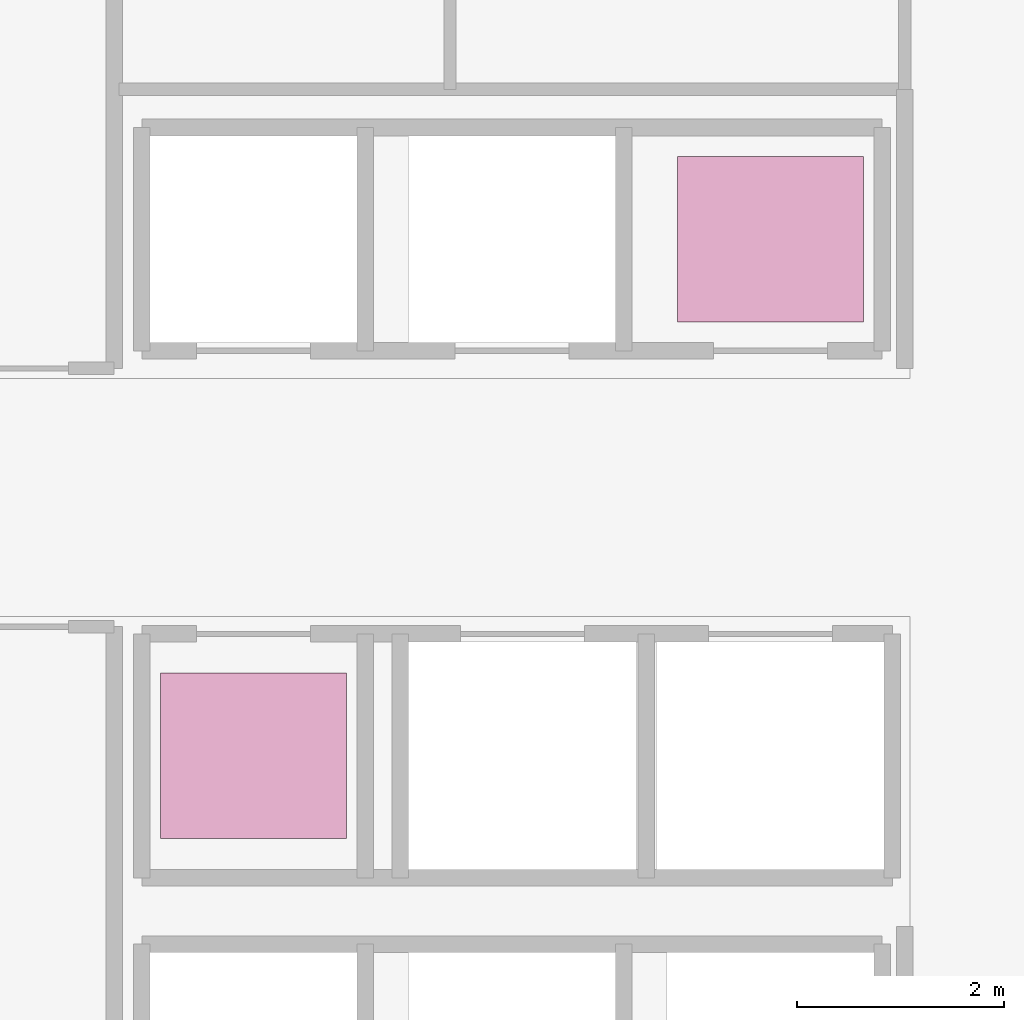
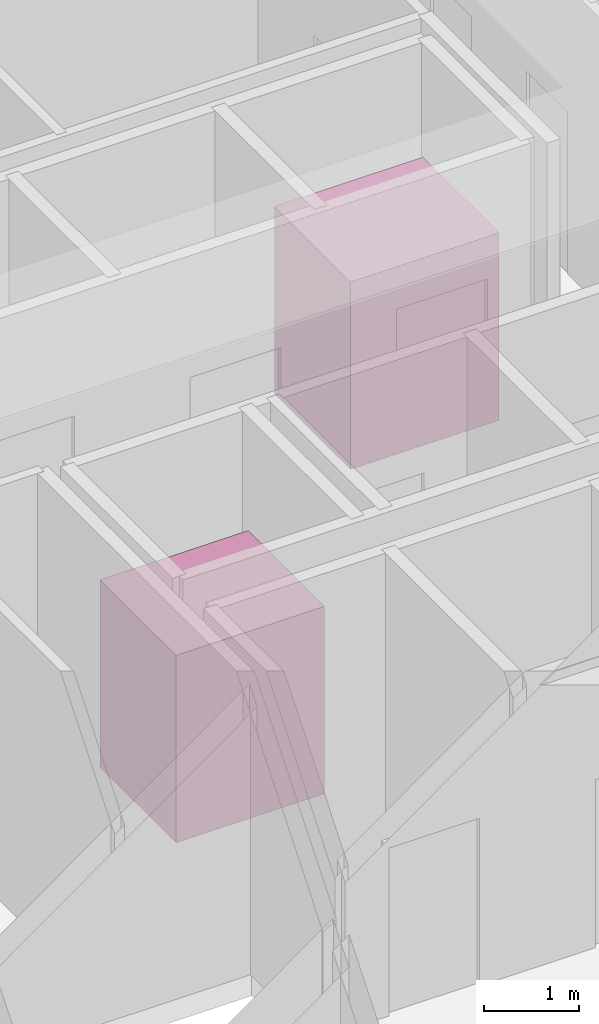
# One storey, part 29 of 29: 2 transport elements.
"""IFC4 building model written with IfcOpenShell, lengths in metres."""

from ifc_helpers import new_model, si_unit, direction, frame, origin, origin_2d, place, context, subcontext, project, spatial, rectangle, extrude, material, type_object, element, save


model = new_model("IFC4")

# Units and contexts
model_context = context("Model", 3, precision=1e-05, world=origin(), true_north=direction((0.0, 1.0)))
body_context = subcontext(model_context, "Body", "Model", "MODEL_VIEW")
ifc_project = project(units=[si_unit("LENGTHUNIT", "METRE"), si_unit("AREAUNIT", "SQUARE_METRE"), si_unit("VOLUMEUNIT", "CUBIC_METRE"), si_unit("PLANEANGLEUNIT", "RADIAN"), si_unit("MASSUNIT", "GRAM", prefix="KILO")], contexts=[model_context])

# Site, building, storey
site_placement = place(None, origin())
site = spatial("IfcSite", under=ifc_project, at=site_placement, CompositionType="ELEMENT")
building_placement = place(site_placement, origin())
building = spatial("IfcBuilding", under=site, at=building_placement, Name="Veldorina Hangang Commons", CompositionType="ELEMENT")
storey_placement = place(building_placement, frame((0.0, 0.0, 203.60009765625)))
storey = spatial("IfcBuildingStorey", under=building, at=storey_placement, Name="L53", CompositionType="ELEMENT", Elevation=203.60009765625)

# Transport elements
ifc_material = material(Name="Stainless Steel Brushed Cab", Category="steel")
transport_element_type = type_object("IfcTransportElementType", Name="LFT-PASS-1600", PredefinedType="ELEVATOR", material=ifc_material)
for number, where, z_axis, x_axis, name in (
    (1, (34.5, 26.5, 0.0), (0.0, 0.0, 1.0), (1.0, 0.0, 0.0), "Elevator PL-H1 (high bank)"),
    (2, (29.5, 21.5, 0.0), (0.0, 0.0, 1.0), (1.0, 0.0, 0.0), "Elevator PL-H2 (high bank)"),
):
    element("IfcTransportElement", number, at=place(storey_placement, frame(where, z_axis=z_axis, x_axis=x_axis)), inside=storey, type_object=transport_element_type, Name=name, PredefinedType="ELEVATOR", context=body_context, shape_type="SweptSolid", body=[
        extrude(rectangle(XDim=1.800048828125, YDim=1.60009765625, at=origin_2d()), origin(), (0.0, 0.0, 1.0), 2.39990234375),
    ])

save(model, "model.ifc")
